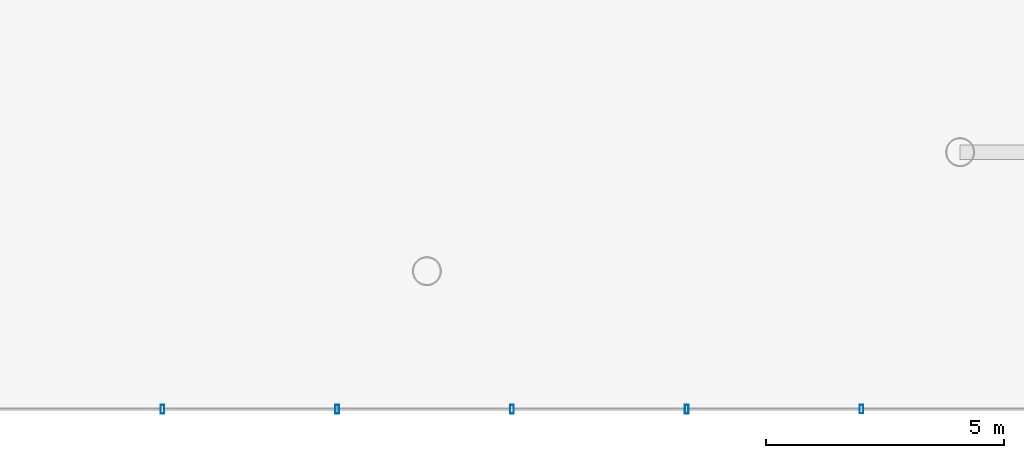
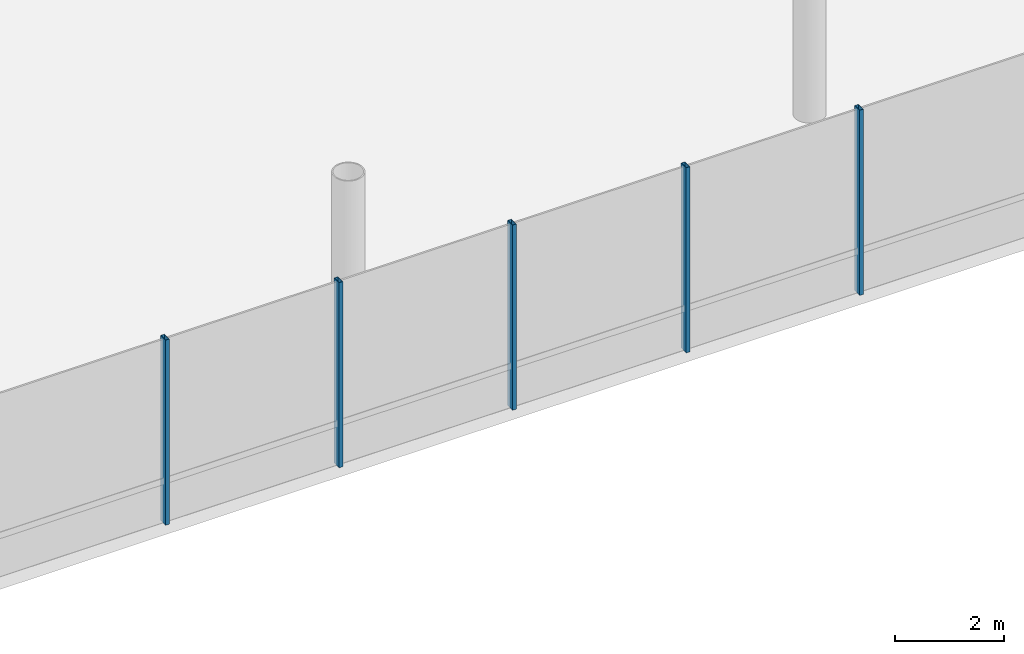
# One storey, part 15 of 37: 5 members, 1 element without a shape of its own.
"""IFC4 building model written with IfcOpenShell, lengths in metres."""

from ifc_helpers import new_model, si_unit, direction, frame, origin, origin_2d, place, context, subcontext, project, spatial, hollow_rectangle, extrude, material, layer, layer_set, material_profile, profile_set, type_object, element, aggregate, save


model = new_model("IFC4")

# Units and contexts
model_context = context("Model", 3, precision=1e-05, world=origin(), true_north=direction((0.0, 1.0)))
body_context = subcontext(model_context, "Body", "Model", "MODEL_VIEW")
ifc_project = project(units=[si_unit("LENGTHUNIT", "METRE"), si_unit("AREAUNIT", "SQUARE_METRE"), si_unit("VOLUMEUNIT", "CUBIC_METRE"), si_unit("PLANEANGLEUNIT", "RADIAN"), si_unit("MASSUNIT", "GRAM", prefix="KILO")], contexts=[model_context])

# Site, building, storey
site_placement = place(None, origin())
site = spatial("IfcSite", under=ifc_project, at=site_placement, CompositionType="ELEMENT")
building_placement = place(site_placement, origin())
building = spatial("IfcBuilding", under=site, at=building_placement, Name="Zarrinselat Tower", CompositionType="ELEMENT")
storey_placement = place(building_placement, frame((0.0, 0.0, 13.93994140625)))
storey = spatial("IfcBuildingStorey", under=building, at=storey_placement, Name="L03", CompositionType="ELEMENT", Elevation=13.93994140625)

# Curtain wall, members
ifc_material_1 = material(Name="Extruded Aluminium Alloy EN AW-6063 T6", Category="aluminium")
ifc_layer = layer(ifc_material_1, 0.2099609375)
ifc_layer_set = layer_set([ifc_layer], Name="Extruded Aluminium Alloy EN AW-6063 T6")
curtain_wall_type = type_object("IfcCurtainWallType", Name="CWS-POD", PredefinedType="NOTDEFINED", material=ifc_layer_set)
curtain_wall_placement = place(storey_placement, origin())
curtain_wall = element("IfcCurtainWall", 1, at=curtain_wall_placement, inside=storey, type_object=curtain_wall_type, Name="L03 Unitised Curtain Wall CW-L03-F1", PredefinedType="NOTDEFINED")
ifc_material_2 = material(Name="Extruded Aluminium Alloy EN AW-6063 T6", Category="aluminium")
ifc_material_profile = material_profile(ifc_material_2, hollow_rectangle(XDim=0.080078125, YDim=0.179931640625, WallThickness=0.0048828125, at=origin_2d()), Name="RHS 180x80x5")
ifc_profile_set = profile_set([ifc_material_profile], Name="Extruded Aluminium Alloy EN AW-6063 T6")
member_type = type_object("IfcMemberType", Name="MEM-CW-MUL", PredefinedType="MULLION", material=ifc_profile_set)
member_1_placement = place(storey_placement, frame((51.2470703125, 5.60009765625, 0.0), z_axis=(0.0, 0.0, 1.0), x_axis=(1.0, 0.0, 0.0)))
member_1 = element("IfcMember", 2, at=member_1_placement, type_object=member_type, Name="CW-L03-F1 Mullion 12", PredefinedType="MULLION", context=body_context, shape_type="SweptSolid", body=[
    extrude(hollow_rectangle(XDim=0.080078125, YDim=0.179931640625, WallThickness=0.0048828125, at=origin_2d()), origin(), (0.0, 0.0, 1.0), 4.14013671875),
])
member_2_placement = place(storey_placement, frame((54.91748046875, 5.60009765625, 0.0), z_axis=(0.0, 0.0, 1.0), x_axis=(1.0, 0.0, 0.0)))
member_2 = element("IfcMember", 3, at=member_2_placement, type_object=member_type, Name="CW-L03-F1 Mullion 13", PredefinedType="MULLION", context=body_context, shape_type="SweptSolid", body=[
    extrude(hollow_rectangle(XDim=0.080078125, YDim=0.179931640625, WallThickness=0.0048828125, at=origin_2d()), origin(), (0.0, 0.0, 1.0), 4.14013671875),
])
member_3_placement = place(storey_placement, frame((58.588134765625, 5.60009765625, 0.0), z_axis=(0.0, 0.0, 1.0), x_axis=(1.0, 0.0, 0.0)))
member_3 = element("IfcMember", 4, at=member_3_placement, type_object=member_type, Name="CW-L03-F1 Mullion 14", PredefinedType="MULLION", context=body_context, shape_type="SweptSolid", body=[
    extrude(hollow_rectangle(XDim=0.080078125, YDim=0.179931640625, WallThickness=0.0048828125, at=origin_2d()), origin(), (0.0, 0.0, 1.0), 4.14013671875),
])
member_4_placement = place(storey_placement, frame((62.2587890625, 5.60009765625, 0.0), z_axis=(0.0, 0.0, 1.0), x_axis=(1.0, 0.0, 0.0)))
member_4 = element("IfcMember", 5, at=member_4_placement, type_object=member_type, Name="CW-L03-F1 Mullion 15", PredefinedType="MULLION", context=body_context, shape_type="SweptSolid", body=[
    extrude(hollow_rectangle(XDim=0.080078125, YDim=0.179931640625, WallThickness=0.0048828125, at=origin_2d()), origin(), (0.0, 0.0, 1.0), 4.14013671875),
])
member_5_placement = place(storey_placement, frame((65.929443359375, 5.60009765625, 0.0), z_axis=(0.0, 0.0, 1.0), x_axis=(1.0, 0.0, 0.0)))
member_5 = element("IfcMember", 6, at=member_5_placement, type_object=member_type, Name="CW-L03-F1 Mullion 16", PredefinedType="MULLION", context=body_context, shape_type="SweptSolid", body=[
    extrude(hollow_rectangle(XDim=0.080078125, YDim=0.179931640625, WallThickness=0.0048828125, at=origin_2d()), origin(), (0.0, 0.0, 1.0), 4.14013671875),
])
aggregate(curtain_wall, [member_1, member_2, member_3, member_4, member_5])

save(model, "model.ifc")
